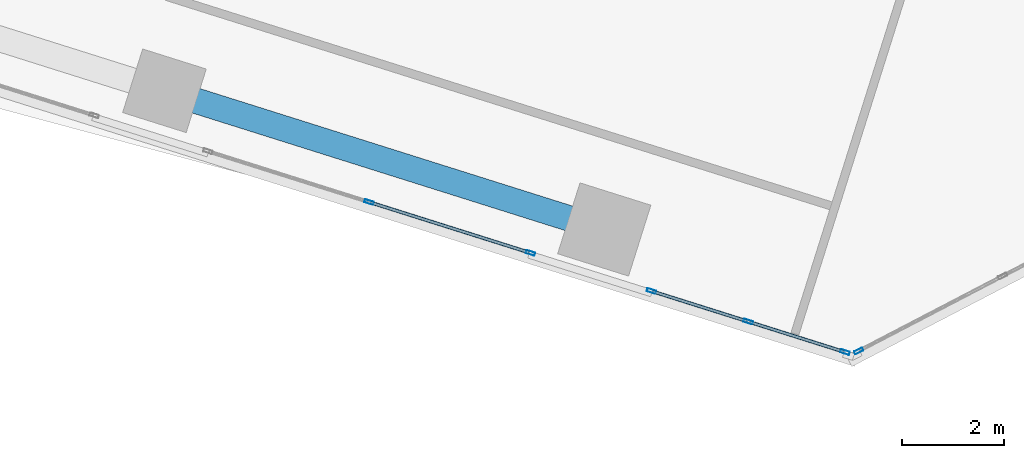
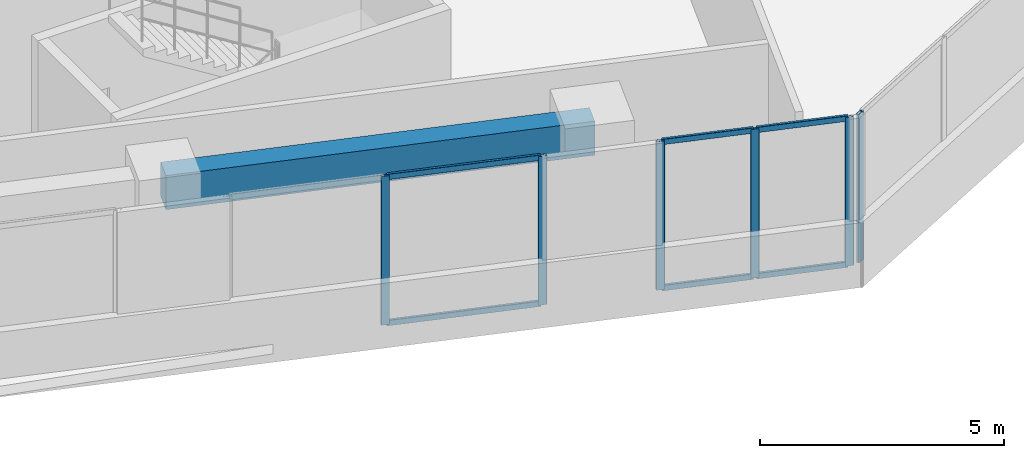
# One storey, part 4 of 28: 12 members, 1 beam, 3 elements without a shape of their own.
"""IFC4 building model written with IfcOpenShell, lengths in metres."""

from ifc_helpers import new_model, si_unit, direction, frame, origin, origin_2d, place, context, subcontext, project, spatial, rectangle, hollow_rectangle, extrude, source, transform, mapped, material, material_profile, profile_set, type_object, element, aggregate, save


model = new_model("IFC4")

# Units and contexts
model_context = context("Model", 3, precision=1e-05, world=origin(), true_north=direction((0.0, 1.0)))
body_context = subcontext(model_context, "Body", "Model", "MODEL_VIEW")
ifc_project = project(units=[si_unit("LENGTHUNIT", "METRE"), si_unit("AREAUNIT", "SQUARE_METRE"), si_unit("VOLUMEUNIT", "CUBIC_METRE"), si_unit("PLANEANGLEUNIT", "RADIAN"), si_unit("MASSUNIT", "GRAM", prefix="KILO")], contexts=[model_context])

# Site, building, storey
site_placement = place(None, origin())
site = spatial("IfcSite", under=ifc_project, at=site_placement, CompositionType="ELEMENT")
building_placement = place(site_placement, origin())
building = spatial("IfcBuilding", under=site, at=building_placement, Name="Torre Montelarca", CompositionType="ELEMENT")
storey_placement = place(building_placement, frame((0.0, 0.0, 112.60009765625)))
storey = spatial("IfcBuildingStorey", under=building, at=storey_placement, Name="L25", CompositionType="ELEMENT", Elevation=112.60009765625)

# Beam
ifc_material_1 = material(Name="Concrete C55/67", Category="concrete")
ifc_material_profile_1 = material_profile(ifc_material_1, rectangle(XDim=0.5, YDim=0.85009765625, at=origin_2d()), Name="RCB500X850", Category="concrete")
ifc_profile_set_1 = profile_set([ifc_material_profile_1], Name="Concrete C55/67")
beam_type = type_object("IfcBeamType", Name="BM-SP-RC850-EXT", PredefinedType="SPANDREL", material=ifc_profile_set_1)
shared_shape_1 = source(origin(), body_context, "Body", "SweptSolid", [
    extrude(rectangle(XDim=0.5, YDim=0.85009765625, at=origin_2d()), origin(), (0.0, 0.0, 1.0), 8.999755859375),
])
beam_placement = place(storey_placement, frame((12.989990234375, 16.6484375, 3.534912109375), z_axis=(0.953716635826, -0.300706798308, 0.0), x_axis=(0.300706798308, 0.953716635826, 0.0)))
element("IfcBeam", 1, at=beam_placement, inside=storey, type_object=beam_type, Name="L25 Grid Girder X 18.0-27.0 at Y=14.8", PredefinedType="SPANDREL", context=body_context, shape_type="MappedRepresentation", body=[
    mapped(shared_shape_1, transform((0.0, 0.0, 0.0), scale=1.0)),
])

# Curtain wall, members
ifc_material_2 = material(Name="Insulated low-E laminated glass", Category="glass")
curtain_wall_type = type_object("IfcCurtainWallType", Name="CW-SYS-Z1", PredefinedType="USERDEFINED", material=ifc_material_2)
curtain_wall_1_placement = place(storey_placement, origin())
curtain_wall_1 = element("IfcCurtainWall", 2, at=curtain_wall_1_placement, inside=storey, type_object=curtain_wall_type, Name="L25 Curtain Wall Run CW-T3-L25-E01-B2", ObjectType="UNITISED GLAZING", PredefinedType="USERDEFINED")
ifc_material_3 = material(Name="Anodised aluminium AA 6063-T6", Category="aluminium")
ifc_material_profile_2 = material_profile(ifc_material_3, hollow_rectangle(XDim=0.06494140625, YDim=0.139892578125, WallThickness=0.00390625, InnerFilletRadius=0.00390625, OuterFilletRadius=0.008056640625, at=origin_2d()), Name="ALU65X140X4", Category="aluminium")
ifc_profile_set_2 = profile_set([ifc_material_profile_2], Name="Anodised aluminium AA 6063-T6")
member_type_1 = type_object("IfcMemberType", Name="CWT-ALU140", PredefinedType="USERDEFINED", material=ifc_profile_set_2)
shared_shape_2 = source(origin(), body_context, "Body", "SweptSolid", [
    extrude(hollow_rectangle(XDim=0.06494140625, YDim=0.139892578125, WallThickness=0.00390625, InnerFilletRadius=0.00390625, OuterFilletRadius=0.008056640625, at=origin_2d()), origin(), (0.0, 0.0, 1.0), 3.235107421875),
])
member_1_placement = place(storey_placement, frame((17.01513671875, 14.46728515625, 0.032470703125), z_axis=(0.95371145552, -0.300723227587, 0.0), x_axis=(0.300723227587, 0.95371145552, 0.0)))
member_1 = element("IfcMember", 3, at=member_1_placement, type_object=member_type_1, Name="CW transom 2.1", ObjectType="TRANSOM", PredefinedType="USERDEFINED", context=body_context, shape_type="MappedRepresentation", body=[
    mapped(shared_shape_2, transform((0.0, 0.0, 0.0), scale=1.0)),
])
member_2_placement = place(storey_placement, frame((17.01513671875, 14.46728515625, 3.6875), z_axis=(0.95371145552, -0.300723227587, 0.0), x_axis=(0.300723227587, 0.95371145552, 0.0)))
member_2 = element("IfcMember", 4, at=member_2_placement, type_object=member_type_1, Name="CW transom 2.2", ObjectType="TRANSOM", PredefinedType="USERDEFINED", context=body_context, shape_type="MappedRepresentation", body=[
    mapped(shared_shape_2, transform((0.0, 0.0, 0.0), scale=1.0)),
])

curtain_wall_2_placement = place(storey_placement, origin())
curtain_wall_2 = element("IfcCurtainWall", 5, at=curtain_wall_2_placement, inside=storey, type_object=curtain_wall_type, Name="L25 Curtain Wall Run CW-T3-L25-E01-B3", ObjectType="UNITISED GLAZING", PredefinedType="USERDEFINED")
shared_shape_3 = source(origin(), body_context, "Body", "SweptSolid", [
    extrude(hollow_rectangle(XDim=0.06494140625, YDim=0.139892578125, WallThickness=0.00390625, InnerFilletRadius=0.00390625, OuterFilletRadius=0.008056640625, at=origin_2d()), origin(), (0.0, 0.0, 1.0), 1.9169921875),
])
member_3_placement = place(storey_placement, frame((24.413330078125, 12.134521484375, 0.032470703125), z_axis=(0.953726907375, -0.300674219297, 0.0), x_axis=(0.300674219297, 0.953726907375, 0.0)))
member_3 = element("IfcMember", 6, at=member_3_placement, type_object=member_type_1, Name="CW transom 2.1", ObjectType="TRANSOM", PredefinedType="USERDEFINED", context=body_context, shape_type="MappedRepresentation", body=[
    mapped(shared_shape_3, transform((0.0, 0.0, 0.0), scale=1.0)),
])
member_4_placement = place(storey_placement, frame((24.413330078125, 12.134521484375, 3.6875), z_axis=(0.953726907375, -0.300674219297, 0.0), x_axis=(0.300674219297, 0.953726907375, 0.0)))
member_4 = element("IfcMember", 7, at=member_4_placement, type_object=member_type_1, Name="CW transom 2.2", ObjectType="TRANSOM", PredefinedType="USERDEFINED", context=body_context, shape_type="MappedRepresentation", body=[
    mapped(shared_shape_3, transform((0.0, 0.0, 0.0), scale=1.0)),
])
shared_shape_4 = source(origin(), body_context, "Body", "SweptSolid", [
    extrude(hollow_rectangle(XDim=0.06494140625, YDim=0.139892578125, WallThickness=0.00390625, InnerFilletRadius=0.00390625, OuterFilletRadius=0.008056640625, at=origin_2d()), origin(), (0.0, 0.0, 1.0), 1.917236328125),
])
member_5_placement = place(storey_placement, frame((22.52294921875, 12.730712890625, 0.032470703125), z_axis=(0.953690382608, -0.300790049903, 0.0), x_axis=(0.300790049903, 0.953690382608, 0.0)))
member_5 = element("IfcMember", 8, at=member_5_placement, type_object=member_type_1, Name="CW transom 1.1", ObjectType="TRANSOM", PredefinedType="USERDEFINED", context=body_context, shape_type="MappedRepresentation", body=[
    mapped(shared_shape_4, transform((0.0, 0.0, 0.0), scale=1.0)),
])
member_6_placement = place(storey_placement, frame((22.52294921875, 12.730712890625, 3.6875), z_axis=(0.953690382608, -0.300790049903, 0.0), x_axis=(0.300790049903, 0.953690382608, 0.0)))
member_6 = element("IfcMember", 9, at=member_6_placement, type_object=member_type_1, Name="CW transom 1.2", ObjectType="TRANSOM", PredefinedType="USERDEFINED", context=body_context, shape_type="MappedRepresentation", body=[
    mapped(shared_shape_4, transform((0.0, 0.0, 0.0), scale=1.0)),
])

# Member
ifc_material_profile_3 = material_profile(ifc_material_3, hollow_rectangle(XDim=0.06494140625, YDim=0.179931640625, WallThickness=0.00390625, InnerFilletRadius=0.00390625, OuterFilletRadius=0.008056640625, at=origin_2d()), Name="ALU65X180X4", Category="aluminium")
ifc_profile_set_3 = profile_set([ifc_material_profile_3], Name="Anodised aluminium AA 6063-T6")
member_type_2 = type_object("IfcMemberType", Name="CWM-ALU180", PredefinedType="MULLION", material=ifc_profile_set_3)
shared_shape_5 = source(origin(), body_context, "Body", "SweptSolid", [
    extrude(hollow_rectangle(XDim=0.06494140625, YDim=0.179931640625, WallThickness=0.00390625, InnerFilletRadius=0.00390625, OuterFilletRadius=0.008056640625, at=origin_2d()), origin(), (0.0, 0.0, 1.0), 3.719970703125),
])
member_7_placement = place(storey_placement, frame((16.984130859375, 14.47705078125, 0.0), z_axis=(0.0, 0.0, 1.0), x_axis=(0.300692595648, 0.953721113808, 0.0)))
member_7 = element("IfcMember", 10, at=member_7_placement, type_object=member_type_2, Name="CW mullion 2", PredefinedType="MULLION", context=body_context, shape_type="MappedRepresentation", body=[
    mapped(shared_shape_5, transform((0.0, 0.0, 0.0), scale=1.0)),
])

member_8_placement = place(storey_placement, frame((20.131591796875, 13.484619140625, 0.0), z_axis=(0.0, 0.0, 1.0), x_axis=(0.300692595648, 0.953721113808, 0.0)))
member_8 = element("IfcMember", 11, at=member_8_placement, type_object=member_type_2, Name="CW mullion 3", PredefinedType="MULLION", context=body_context, shape_type="MappedRepresentation", body=[
    mapped(shared_shape_5, transform((0.0, 0.0, 0.0), scale=1.0)),
])

aggregate(curtain_wall_1, [member_7, member_8, member_1, member_2])

member_9_placement = place(storey_placement, frame((22.491943359375, 12.740478515625, 0.0), z_axis=(0.0, 0.0, 1.0), x_axis=(0.300706102902, 0.953716855087, 0.0)))
member_9 = element("IfcMember", 12, at=member_9_placement, type_object=member_type_2, Name="CW mullion 1", PredefinedType="MULLION", context=body_context, shape_type="MappedRepresentation", body=[
    mapped(shared_shape_5, transform((0.0, 0.0, 0.0), scale=1.0)),
])

member_10_placement = place(storey_placement, frame((24.38232421875, 12.144287109375, 0.0), z_axis=(0.0, 0.0, 1.0), x_axis=(0.300706102902, 0.953716855087, 0.0)))
member_10 = element("IfcMember", 13, at=member_10_placement, type_object=member_type_2, Name="CW mullion 2", PredefinedType="MULLION", context=body_context, shape_type="MappedRepresentation", body=[
    mapped(shared_shape_5, transform((0.0, 0.0, 0.0), scale=1.0)),
])

member_11_placement = place(storey_placement, frame((26.272705078125, 11.54833984375, 0.0), z_axis=(0.0, 0.0, 1.0), x_axis=(0.300706102902, 0.953716855087, 0.0)))
member_11 = element("IfcMember", 14, at=member_11_placement, type_object=member_type_2, Name="CW mullion 3", PredefinedType="MULLION", context=body_context, shape_type="MappedRepresentation", body=[
    mapped(shared_shape_5, transform((0.0, 0.0, 0.0), scale=1.0)),
])

aggregate(curtain_wall_2, [member_9, member_10, member_11, member_5, member_6, member_3, member_4])

# Curtain wall, member
curtain_wall_3_placement = place(storey_placement, origin())
curtain_wall_3 = element("IfcCurtainWall", 15, at=curtain_wall_3_placement, inside=storey, type_object=curtain_wall_type, Name="L25 Curtain Wall Run CW-T3-L25-E02-B1", ObjectType="UNITISED GLAZING", PredefinedType="USERDEFINED")
member_12_placement = place(storey_placement, frame((26.53857421875, 11.571533203125, 0.0), z_axis=(0.0, 0.0, 1.0), x_axis=(-0.461741342198, 0.887014618203, 0.0)))
member_12 = element("IfcMember", 16, at=member_12_placement, type_object=member_type_2, Name="CW mullion 1", PredefinedType="MULLION", context=body_context, shape_type="MappedRepresentation", body=[
    mapped(shared_shape_5, transform((0.0, 0.0, 0.0), scale=1.0)),
])
aggregate(curtain_wall_3, [member_12])

save(model, "model.ifc")
